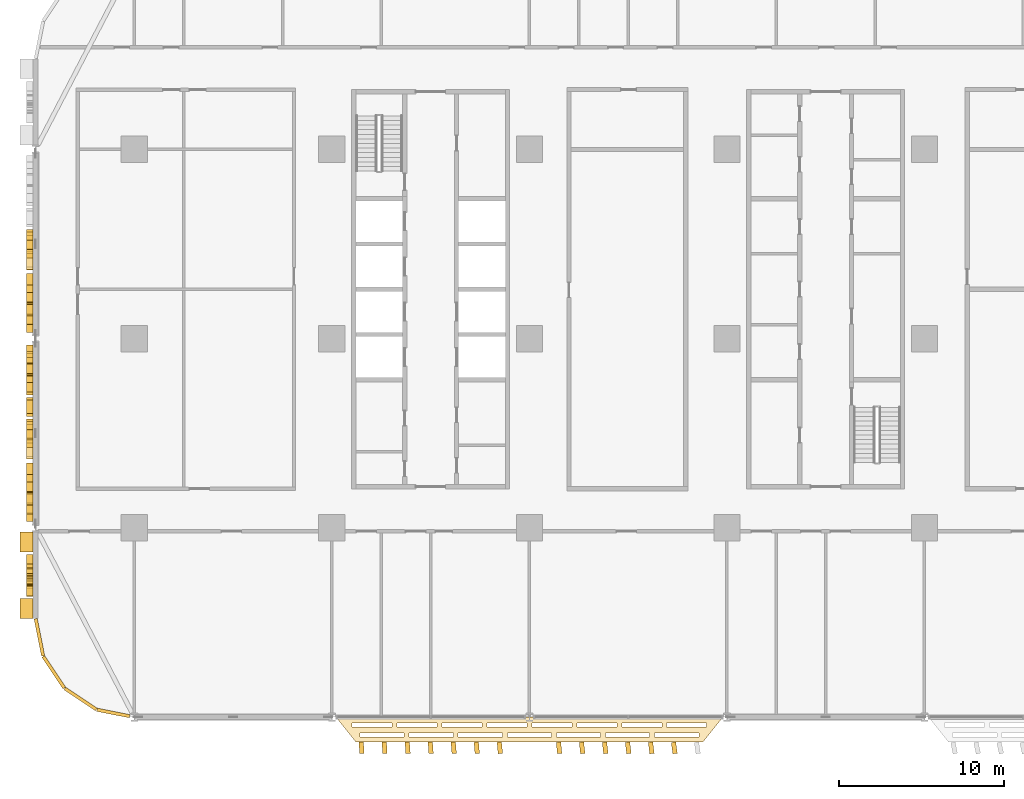
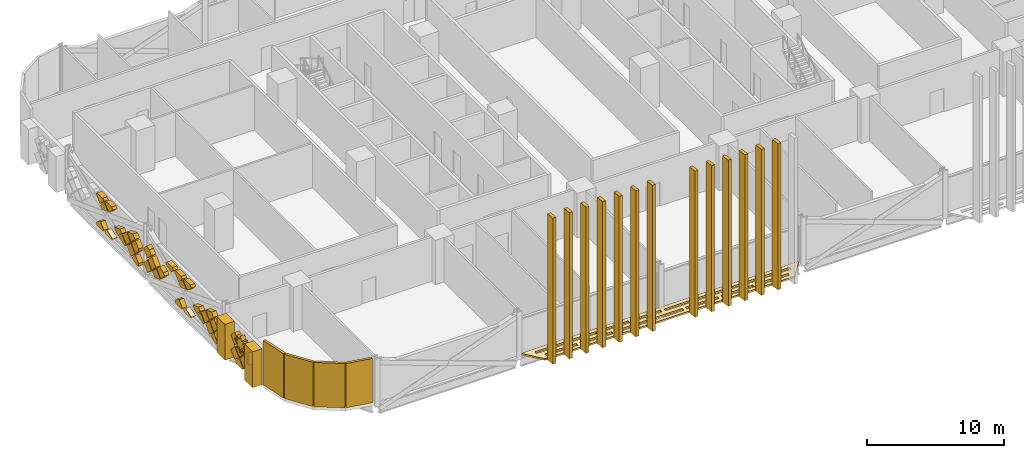
# One storey, part 23 of 29: 57 coverings.
"""IFC4 building model written with IfcOpenShell, lengths in metres."""

import ifcopenshell
import ifcopenshell.guid

model = None  # the IFC model being written
_history = None  # IfcOwnerHistory: only IFC2X3 demands one
_inside = {}  # id of a spatial element -> (the spatial element, [elements in it])
_under = {}  # id of a project, library or spatial element -> (it, [spatial elements below it])
_declared = {}  # id of a project -> (the project, [libraries it declares])
_typed = {}  # id of a type object -> (the type object, [elements of that type])
_made_of = {}  # id of a material, layer set ... -> (it, [elements and type objects made of it])


def new_model(schema):
    """Start an empty IFC model of exactly this schema.

    Asked for "IFC4X3", IfcOpenShell would pick the latest addendum, in which some entities
    have other attributes; the version numbers below select the first issue.
    IFC2X3 requires an IfcOwnerHistory on every rooted entity: one is made here for all.
    """
    global model, _history
    if schema == "IFC4X3":
        model = ifcopenshell.file(schema_version=(4, 3, 0, 0))
    else:
        model = ifcopenshell.file(schema=schema)
    _inside.clear()
    _under.clear()
    _declared.clear()
    _typed.clear()
    _made_of.clear()
    _history = None
    if model.schema == "IFC2X3":
        org = make("IfcOrganization", Name="unknown")
        user = make(
            "IfcPersonAndOrganization",
            ThePerson=make("IfcPerson", FamilyName="unknown"),
            TheOrganization=org,
        )
        app = make(
            "IfcApplication",
            ApplicationDeveloper=org,
            Version="unknown",
            ApplicationFullName="unknown",
            ApplicationIdentifier="unknown",
        )
        _history = make(
            "IfcOwnerHistory",
            OwningUser=user,
            OwningApplication=app,
            ChangeAction="ADDED",
            CreationDate=0,
        )
    return model


def make(cls, **values):
    """One entity of the class cls with the attributes given. An attribute that is None is left unset."""
    return model.create_entity(
        cls, **{name: value for name, value in values.items() if value is not None}
    )


def rooted(cls, **values):
    """An entity with a GlobalId (a new one), such as an element, a storey or a relation."""
    return make(cls, GlobalId=ifcopenshell.guid.new(), OwnerHistory=_history, **values)


def si_unit(unit_type, name, prefix=None):
    """IfcSIUnit, for example si_unit("LENGTHUNIT", "METRE", prefix="MILLI")."""
    return make("IfcSIUnit", UnitType=unit_type, Prefix=prefix, Name=name)


def assignment(units):
    """IfcUnitAssignment: the units of a project."""
    return None if units is None else make("IfcUnitAssignment", Units=units)


def point(xyz):
    """IfcCartesianPoint."""
    return None if xyz is None else make("IfcCartesianPoint", Coordinates=xyz)


def direction(xyz):
    """IfcDirection."""
    return None if xyz is None else make("IfcDirection", DirectionRatios=xyz)


def frame(location, z_axis=None, x_axis=None):
    """IfcAxis2Placement3D, a coordinate frame: its origin and axes. An axis left out is left unset."""
    return make(
        "IfcAxis2Placement3D",
        Location=point(location),
        Axis=direction(z_axis),
        RefDirection=direction(x_axis),
    )


def frame_2d(location, x_axis=None):
    """IfcAxis2Placement2D, a coordinate frame in the plane: its origin and x axis."""
    return make(
        "IfcAxis2Placement2D", Location=point(location), RefDirection=direction(x_axis)
    )


def origin():
    """The frame at (0, 0, 0) with its axes left unset."""
    return frame((0.0, 0.0, 0.0))


def origin_2d():
    """The frame at (0, 0) in the plane with its x axis left unset."""
    return frame_2d((0.0, 0.0))


def place(relative_to, where):
    """IfcLocalPlacement: puts the frame where relative to a parent placement (None: the world)."""
    return make(
        "IfcLocalPlacement", PlacementRelTo=relative_to, RelativePlacement=where
    )


def context(
    kind, dimensions, precision=None, world=None, true_north=None, identifier=None
):
    """IfcGeometricRepresentationContext, for example the 3D "Model" context."""
    return make(
        "IfcGeometricRepresentationContext",
        ContextIdentifier=identifier,
        ContextType=kind,
        CoordinateSpaceDimension=dimensions,
        Precision=precision,
        WorldCoordinateSystem=world,
        TrueNorth=true_north,
    )


def subcontext(parent, identifier, kind, view, scale=None):
    """IfcGeometricRepresentationSubContext, for example "Body" below "Model"."""
    return make(
        "IfcGeometricRepresentationSubContext",
        ContextIdentifier=identifier,
        ContextType=kind,
        ParentContext=parent,
        TargetScale=scale,
        TargetView=view,
    )


def project(units=None, contexts=None):
    """IfcProject with its units and contexts."""
    return rooted(
        "IfcProject",
        Name="project",
        RepresentationContexts=contexts,
        UnitsInContext=assignment(units),
    )


def spatial(cls, under=None, at=None, **own):
    """A site, building, storey or space (cls), placed at a placement, below another one or the project."""
    s = rooted(cls, ObjectPlacement=at, **own)
    if under is not None:
        _under.setdefault(under.id(), (under, []))[1].append(s)
    return s


def polyline(points):
    """IfcPolyline through the points."""
    return make("IfcPolyline", Points=[point(p) for p in points])


def profile(cls, at=None, kind="AREA", **sizes):
    """A parametric profile (cls). Its sizes go by their IFC names, for example OverallWidth=200.0."""
    return make(cls, ProfileType=kind, Position=at, **sizes)


def rectangle(**sizes):
    """IfcRectangleProfileDef."""
    return profile("IfcRectangleProfileDef", **sizes)


def outline(outer, holes=None, kind="AREA"):
    """IfcArbitraryClosedProfileDef: a profile drawn as a closed curve; with holes, ...WithVoids."""
    if holes is None:
        return make("IfcArbitraryClosedProfileDef", ProfileType=kind, OuterCurve=outer)
    return make(
        "IfcArbitraryProfileDefWithVoids",
        ProfileType=kind,
        OuterCurve=outer,
        InnerCurves=holes,
    )


def extrude(swept, where, along, depth):
    """IfcExtrudedAreaSolid: the profile swept, set in the frame where, extruded along a direction by depth."""
    return make(
        "IfcExtrudedAreaSolid",
        SweptArea=swept,
        Position=where,
        ExtrudedDirection=direction(along),
        Depth=depth,
    )


def shape(context_of_items, identifier, shape_type, items):
    """IfcShapeRepresentation: the items that make up one representation, for example the "Body"."""
    return make(
        "IfcShapeRepresentation",
        ContextOfItems=context_of_items,
        RepresentationIdentifier=identifier,
        RepresentationType=shape_type,
        Items=items,
    )


def material(Name=None, Category=None):
    """IfcMaterial."""
    return make("IfcMaterial", Name=Name, Category=Category)


def layer(
    of_material, thickness, ventilated=None, Name=None, Category=None, Priority=None
):
    """IfcMaterialLayer: one layer of a wall or slab, of a material (None: an air gap)."""
    return make(
        "IfcMaterialLayer",
        Material=of_material,
        LayerThickness=thickness,
        IsVentilated=ventilated,
        Name=Name,
        Category=Category,
        Priority=Priority,
    )


def layer_set(layers, Name=None):
    """IfcMaterialLayerSet."""
    return make("IfcMaterialLayerSet", MaterialLayers=layers, LayerSetName=Name)


def made_of(thing, what):
    """Note that an element or type object is made of a material, layer set ...; save() writes the relation."""
    if what is not None:
        _made_of.setdefault(what.id(), (what, []))[1].append(thing)
    return thing


def type_object(cls, material=None, **own):
    """A type object (cls), such as IfcWallType, which elements share."""
    return made_of(rooted(cls, **own), material)


def element(
    cls,
    number,
    at=None,
    inside=None,
    cuts=None,
    type_object=None,
    material=None,
    context=None,
    identifier="Body",
    shape_type=None,
    held_by="IfcProductDefinitionShape",
    body=None,
    shapes=None,
    **own,
):
    """One element of the class cls, such as IfcWall. Its Tag is "e" and its number.

    at: its placement. inside: the storey or other place that contains it. cuts: it is an
    opening in that element (IfcRelVoidsElement). A single representation is given by context,
    identifier, shape_type and body (its items); several are given by shapes. held_by: the class
    of the entity that holds the representations. save() writes the other relations.
    """
    e = rooted(cls, Tag="e%d" % number, ObjectPlacement=at, **own)
    if body is not None:
        shapes = [shape(context, identifier, shape_type, body)]
    if shapes is not None:
        e.Representation = make(held_by, Representations=shapes)
    if inside is not None:
        _inside.setdefault(inside.id(), (inside, []))[1].append(e)
    if cuts is not None:
        rooted(
            "IfcRelVoidsElement", RelatingBuildingElement=cuts, RelatedOpeningElement=e
        )
    if type_object is not None:
        _typed.setdefault(type_object.id(), (type_object, []))[1].append(e)
    return made_of(e, material)


def aggregate(whole, parts):
    """IfcRelAggregates: a whole, such as a stair, and the parts it consists of."""
    return rooted("IfcRelAggregates", RelatingObject=whole, RelatedObjects=parts)


def save(model, path):
    """Write the relations noted so far, then the file.

    IfcRelAggregates (storeys below a building ...), IfcRelContainedInSpatialStructure (elements
    in a storey), IfcRelDefinesByType, IfcRelAssociatesMaterial and IfcRelDeclares: one each for
    every whole, place, type object, material and project.
    """
    for whole, parts in _under.values():
        aggregate(whole, parts)
    for where, things in _inside.values():
        rooted(
            "IfcRelContainedInSpatialStructure",
            RelatedElements=things,
            RelatingStructure=where,
        )
    for kind, things in _typed.values():
        rooted("IfcRelDefinesByType", RelatedObjects=things, RelatingType=kind)
    for what, things in _made_of.values():
        rooted("IfcRelAssociatesMaterial", RelatedObjects=things, RelatingMaterial=what)
    for by, libraries in _declared.values():
        rooted("IfcRelDeclares", RelatingContext=by, RelatedDefinitions=libraries)
    model.write(path)


model = new_model("IFC4")

# Units and contexts
model_context = context("Model", 3, precision=1e-05, world=origin(), true_north=direction((0.0, 1.0)))
body_context = subcontext(model_context, "Body", "Model", "MODEL_VIEW")
ifc_project = project(units=[si_unit("LENGTHUNIT", "METRE"), si_unit("AREAUNIT", "SQUARE_METRE"), si_unit("VOLUMEUNIT", "CUBIC_METRE"), si_unit("PLANEANGLEUNIT", "RADIAN"), si_unit("MASSUNIT", "GRAM", prefix="KILO")], contexts=[model_context])

# Site, building, storey
site_placement = place(None, origin())
site = spatial("IfcSite", under=ifc_project, at=site_placement, CompositionType="ELEMENT")
building_placement = place(site_placement, origin())
building = spatial("IfcBuilding", under=site, at=building_placement, Name="Mahtab Terrace Research Tower", CompositionType="ELEMENT")
storey_placement = place(building_placement, frame((0.0, 0.0, 24.39990234375)))
storey = spatial("IfcBuildingStorey", under=building, at=storey_placement, Name="L05", CompositionType="ELEMENT", Elevation=24.39990234375)

# Coverings
ifc_material_1 = material(Name="Black aluminium cladding panel", Category="aluminium")
ifc_layer_1 = layer(ifc_material_1, 0.199951171875)
ifc_layer_set_1 = layer_set([ifc_layer_1], Name="Black metal corner cladding 200")
covering_type_1 = type_object("IfcCoveringType", Name="Black metal corner cladding 200", PredefinedType="CLADDING", material=ifc_layer_set_1)
for number, where, z_axis, x_axis, name in (
    (1, (-47.771484375, -18.14794921875, 0.0), (0.0, 0.0, 1.0), (0.195212442692, -0.980760981187, 0.0), "Corner cladding L05 18"),
    (2, (-46.89306640625, -20.26953125, 0.0), (0.0, 0.0, 1.0), (0.555291490808, -0.831655794326, 0.0), "Corner cladding L05 19"),
    (3, (-45.26953125, -21.89306640625, 0.0), (0.0, 0.0, 1.0), (0.831655794326, -0.555291490808, 0.0), "Corner cladding L05 20"),
):
    element("IfcCovering", number, at=place(storey_placement, frame(where, z_axis=z_axis, x_axis=x_axis)), inside=storey, type_object=covering_type_1, Name=name, PredefinedType="CLADDING", context=body_context, shape_type="SweptSolid", body=[
        extrude(rectangle(XDim=2.30126953125, YDim=0.199951171875, at=origin_2d()), origin(), (0.0, 0.0, 1.0), 3.9599609375),
    ])
covering_1_placement = place(storey_placement, frame((-43.28173828125, -22.744873046875, 0.0), z_axis=(0.0, 0.0, 1.0), x_axis=(0.980760981187, -0.195212442692, 0.0)))
element("IfcCovering", 4, at=covering_1_placement, inside=storey, type_object=covering_type_1, Name="Corner cladding L05 21", PredefinedType="CLADDING", context=body_context, shape_type="SweptSolid", body=[
    extrude(rectangle(XDim=2.0283203125, YDim=0.199951171875, at=origin_2d()), origin(), (0.0, 0.0, 1.0), 3.9599609375),
])
ifc_material_2 = material(Name="Black anodised aluminium", Category="aluminium")
ifc_layer_2 = layer(ifc_material_2, 0.14990234375)
ifc_layer_set_2 = layer_set([ifc_layer_2], Name="Horizontal sunshade band")
covering_type_2 = type_object("IfcCoveringType", Name="Horizontal sunshade band", PredefinedType="CLADDING", material=ifc_layer_set_2)
covering_2_placement = place(storey_placement, frame((0.0, 0.0, -0.14990234375)))
element("IfcCovering", 5, at=covering_2_placement, inside=storey, type_object=covering_type_2, Name="Sunshade band L05 23", PredefinedType="CLADDING", context=body_context, shape_type="SweptSolid", body=[
    extrude(outline(polyline([(-29.7509765625, -23.0), (-6.2490234375, -23.0), (-7.448974609375, -24.5), (-28.551025390625, -24.5), (-29.7509765625, -23.0)]), holes=[polyline([(-28.77099609375, -23.35009765625), (-26.341064453125, -23.35009765625), (-26.341064453125, -23.60009765625), (-28.77099609375, -23.60009765625), (-28.77099609375, -23.35009765625)]), polyline([(-26.041015625, -23.35009765625), (-23.611083984375, -23.35009765625), (-23.611083984375, -23.60009765625), (-26.041015625, -23.60009765625), (-26.041015625, -23.35009765625)]), polyline([(-23.31103515625, -23.35009765625), (-20.8798828125, -23.35009765625), (-20.8798828125, -23.60009765625), (-23.31103515625, -23.60009765625), (-23.31103515625, -23.35009765625)]), polyline([(-20.580078125, -23.35009765625), (-18.14990234375, -23.35009765625), (-18.14990234375, -23.60009765625), (-20.580078125, -23.60009765625), (-20.580078125, -23.35009765625)]), polyline([(-17.85009765625, -23.35009765625), (-15.419921875, -23.35009765625), (-15.419921875, -23.60009765625), (-17.85009765625, -23.60009765625), (-17.85009765625, -23.35009765625)]), polyline([(-15.1201171875, -23.35009765625), (-12.68994140625, -23.35009765625), (-12.68994140625, -23.60009765625), (-15.1201171875, -23.60009765625), (-15.1201171875, -23.35009765625)]), polyline([(-12.389892578125, -23.35009765625), (-9.958984375, -23.35009765625), (-9.958984375, -23.60009765625), (-12.389892578125, -23.60009765625), (-12.389892578125, -23.35009765625)]), polyline([(-9.658935546875, -23.35009765625), (-7.22900390625, -23.35009765625), (-7.22900390625, -23.60009765625), (-9.658935546875, -23.60009765625), (-9.658935546875, -23.35009765625)]), polyline([(-28.291015625, -23.949951171875), (-25.60791015625, -23.949951171875), (-25.60791015625, -24.199951171875), (-28.291015625, -24.199951171875), (-28.291015625, -23.949951171875)]), polyline([(-25.30810546875, -23.949951171875), (-22.625, -23.949951171875), (-22.625, -24.199951171875), (-25.30810546875, -24.199951171875), (-25.30810546875, -23.949951171875)]), polyline([(-22.324951171875, -23.949951171875), (-19.64208984375, -23.949951171875), (-19.64208984375, -24.199951171875), (-22.324951171875, -24.199951171875), (-22.324951171875, -23.949951171875)]), polyline([(-19.342041015625, -23.949951171875), (-16.657958984375, -23.949951171875), (-16.657958984375, -24.199951171875), (-19.342041015625, -24.199951171875), (-19.342041015625, -23.949951171875)]), polyline([(-16.35791015625, -23.949951171875), (-13.675048828125, -23.949951171875), (-13.675048828125, -24.199951171875), (-16.35791015625, -24.199951171875), (-16.35791015625, -23.949951171875)]), polyline([(-13.375, -23.949951171875), (-10.69189453125, -23.949951171875), (-10.69189453125, -24.199951171875), (-13.375, -24.199951171875), (-13.375, -23.949951171875)]), polyline([(-10.39208984375, -23.949951171875), (-7.708984375, -23.949951171875), (-7.708984375, -24.199951171875), (-10.39208984375, -24.199951171875), (-10.39208984375, -23.949951171875)])]), origin(), (0.0, 0.0, 1.0), 0.14990234375),
])
ifc_material_3 = material(Name="Bronze anodised aluminium", Category="aluminium")
ifc_layer_3 = layer(ifc_material_3, 0.39990234375)
ifc_layer_set_3 = layer_set([ifc_layer_3], Name="Mashrabiya relief panel 400")
covering_type_3 = type_object("IfcCoveringType", Name="Mashrabiya relief panel 400", PredefinedType="CLADDING", material=ifc_layer_set_3)
covering_3_placement = place(storey_placement, frame((-48.14990234375, 6.631103515625, 0.300048828125), z_axis=(1.0, 0.0, 0.0), x_axis=(0.0, -0.707106781187, 0.707106781187)))
element("IfcCovering", 6, at=covering_3_placement, inside=storey, type_object=covering_type_3, Name="Mashrabiya lattice cell L05 W15.7", PredefinedType="CLADDING", context=body_context, shape_type="SweptSolid", body=[
    extrude(outline(polyline([(0.0, 0.0), (0.5134120037228497, 0.0), (0.8203543516109556, 0.14017839509850505), (0.8203543516109556, 0.8203543516109556), (0.5869538711021146, 0.8203543516109556), (0.0, 0.2334004805088409), (0.0, 0.0)])), origin(), (0.0, 0.0, -1.0), 0.39990234375),
])
covering_4_placement = place(storey_placement, frame((-48.14990234375, 5.470947265625, 2.900146484375), z_axis=(1.0, 0.0, 0.0), x_axis=(0.0, 0.707106781187, -0.707106781187)))
element("IfcCovering", 7, at=covering_4_placement, inside=storey, type_object=covering_type_3, Name="Mashrabiya lattice cell L05 W15.8", PredefinedType="CLADDING", context=body_context, shape_type="SweptSolid", body=[
    extrude(outline(polyline([(0.0, 0.0), (0.8203543516109556, 0.0), (0.8203543516109556, 0.8203543516109556), (0.5826380338145992, 0.820181718119455), (0.0, 0.2375436843048558), (0.0, 0.0)])), origin(), (0.0, 0.0, -1.0), 0.39990234375),
])
covering_5_placement = place(storey_placement, frame((-48.14990234375, 5.98095703125, 2.25), z_axis=(1.0, 0.0, 0.0), x_axis=(0.0, -0.707106781187, 0.707106781187)))
element("IfcCovering", 8, at=covering_5_placement, inside=storey, type_object=covering_type_3, Name="Mashrabiya lattice cell L05 W15.9", PredefinedType="CLADDING", context=body_context, shape_type="SweptSolid", body=[
    extrude(outline(polyline([(0.0, 0.0), (0.8203543516109556, 0.0), (0.8203543516109556, 0.7140121208465725), (0.0, 0.3393974442902228), (0.0, 0.0)])), origin(), (0.0, 0.0, -1.0), 0.39990234375),
])
covering_6_placement = place(storey_placement, frame((-48.14990234375, 5.3310546875, 0.300048828125), z_axis=(1.0, 0.0, 0.0), x_axis=(0.0, -0.707106781187, 0.707106781187)))
element("IfcCovering", 9, at=covering_6_placement, inside=storey, type_object=covering_type_3, Name="Mashrabiya lattice cell L05 W15.10", PredefinedType="CLADDING", context=body_context, shape_type="SweptSolid", body=[
    extrude(outline(polyline([(0.0, 0.0), (0.4115582437374828, 0.0), (0.7863455537853331, 0.820181718119455), (0.5869538711021146, 0.8203543516109556), (0.0, 0.2334004805088409), (0.0, 0.0)])), origin(), (0.0, 0.0, -1.0), 0.39990234375),
])
covering_7_placement = place(storey_placement, frame((-48.14990234375, 5.3310546875, 2.900146484375), z_axis=(1.0, 0.0, 0.0), x_axis=(0.0, -0.707106781187, 0.707106781187)))
element("IfcCovering", 10, at=covering_7_placement, inside=storey, type_object=covering_type_3, Name="Mashrabiya lattice cell L05 W15.11", PredefinedType="CLADDING", context=body_context, shape_type="SweptSolid", body=[
    extrude(outline(polyline([(0.0, 0.0), (0.2375436843048558, 0.0), (0.820181718119455, 0.5826380338145992), (0.8203543516109556, 0.8203543516109556), (0.1343088563874839, 0.8203543516109556), (0.0, 0.7595873626027366), (0.0, 0.0)])), origin(), (0.0, 0.0, -1.0), 0.39990234375),
])
covering_8_placement = place(storey_placement, frame((-48.14990234375, 3.9580078125, 1.527099609375), z_axis=(1.0, 0.0, 0.0), x_axis=(0.0, -0.936540541173, 0.350559288481)))
element("IfcCovering", 11, at=covering_8_placement, inside=storey, type_object=covering_type_3, Name="Mashrabiya lattice cell L05 W15.12", PredefinedType="CLADDING", context=body_context, shape_type="SweptSolid", body=[
    extrude(outline(polyline([(0.0, 0.0), (0.9011827075507265, -5.551115123125783e-17), (1.0435292276748973, 0.31266219006469476), (0.41560539492692705, 0.5987283725402599), (0.17868422475888357, 0.3924774627043254), (0.0, 0.0)])), origin(), (0.0, 0.0, -1.0), 0.39990234375),
])
covering_9_placement = place(storey_placement, frame((-48.14990234375, 2.801025390625, 1.530029296875), z_axis=(1.0, 0.0, 0.0), x_axis=(0.0, -0.707255598772, -0.706957932274)))
element("IfcCovering", 12, at=covering_9_placement, inside=storey, type_object=covering_type_3, Name="Mashrabiya lattice cell L05 W15.13", PredefinedType="CLADDING", context=body_context, shape_type="SweptSolid", body=[
    extrude(outline(polyline([(0.0, 0.0), (0.8201817362875763, 0.0), (0.8201245430420274, 0.2717251096029046), (-0.0003083493530673942, 0.6447860401357071), (0.0, 0.0)])), origin(), (0.0, 0.0, -1.0), 0.39990234375),
])
covering_10_placement = place(storey_placement, frame((-48.14990234375, 2.15087890625, 2.18017578125), z_axis=(1.0, 0.0, 0.0), x_axis=(0.0, -0.706957932274, -0.707255598772)))
element("IfcCovering", 13, at=covering_10_placement, inside=storey, type_object=covering_type_3, Name="Mashrabiya lattice cell L05 W15.14", PredefinedType="CLADDING", context=body_context, shape_type="SweptSolid", body=[
    extrude(outline(polyline([(0.0, 0.0), (0.8201817362875763, 0.0), (0.8205270032629295, 0.8201816636150915), (0.00017266982391900276, 0.8203543334390104), (0.0, 0.0)])), origin(), (0.0, 0.0, -1.0), 0.39990234375),
])
covering_11_placement = place(storey_placement, frame((-48.14990234375, 2.0810546875, 0.9501953125), z_axis=(1.0, 0.0, 0.0), x_axis=(0.0, -0.707255598772, 0.706957932274)))
element("IfcCovering", 14, at=covering_11_placement, inside=storey, type_object=covering_type_3, Name="Mashrabiya lattice cell L05 W15.15", PredefinedType="CLADDING", context=body_context, shape_type="SweptSolid", body=[
    extrude(outline(polyline([(0.0, 0.0), (0.8201817362875763, 0.0), (0.8205270032629295, 0.8201816636150915), (0.04816477939800251, 0.8203442319636213), (0.0001500686811417018, 0.7129763041041906), (0.0, 0.0)])), origin(), (0.0, 0.0, -1.0), 0.39990234375),
])
covering_12_placement = place(storey_placement, frame((-48.14990234375, 0.9208984375, 2.25), z_axis=(1.0, 0.0, 0.0), x_axis=(0.0, 0.707255598772, -0.706957932274)))
element("IfcCovering", 15, at=covering_12_placement, inside=storey, type_object=covering_type_3, Name="Mashrabiya lattice cell L05 W15.16", PredefinedType="CLADDING", context=body_context, shape_type="SweptSolid", body=[
    extrude(outline(polyline([(0.0, 0.0), (0.8201817362875763, 0.0), (0.8203499004174368, 0.798947780967117), (8.931448383686647e-05, 0.4243331127089831), (0.0, 0.0)])), origin(), (0.0, 0.0, -1.0), 0.39990234375),
])
covering_13_placement = place(storey_placement, frame((-48.14990234375, 0.43603515625, 0.135009765625), z_axis=(1.0, 0.0, 0.0), x_axis=(0.0, 1.0, 0.0)))
element("IfcCovering", 16, at=covering_13_placement, inside=storey, type_object=covering_type_3, Name="Mashrabiya lattice cell L05 W15.17", PredefinedType="CLADDING", context=body_context, shape_type="SweptSolid", body=[
    extrude(outline(polyline([(0.0, 0.0), (0.31005859375, 0.0), (0.928955078125, 0.231201171875), (0.4150390625, 0.7451171875), (-0.052001953125, 0.278076171875), (-0.052001953125, 0.052001953125), (0.0, 0.0)])), origin(), (0.0, 0.0, -1.0), 0.39990234375),
])
covering_14_placement = place(storey_placement, frame((-48.14990234375, 0.85107421875, 1.02001953125), z_axis=(1.0, 0.0, 0.0), x_axis=(0.0, 0.706957932274, 0.707255598772)))
element("IfcCovering", 17, at=covering_14_placement, inside=storey, type_object=covering_type_3, Name="Mashrabiya lattice cell L05 W15.18", PredefinedType="CLADDING", context=body_context, shape_type="SweptSolid", body=[
    extrude(outline(polyline([(0.0, 0.0), (0.8201817362875763, 0.0), (0.8205270032629295, 0.8201816636150915), (0.16003127941241302, 0.8203206860785415), (0.00013902246344993374, 0.6604957238505165), (0.0, 0.0)])), origin(), (0.0, 0.0, -1.0), 0.39990234375),
])
covering_15_placement = place(storey_placement, frame((-48.14990234375, -0.89892578125, 1.530029296875), z_axis=(1.0, 0.0, 0.0), x_axis=(0.0, -0.707255598772, -0.706957932274)))
element("IfcCovering", 18, at=covering_15_placement, inside=storey, type_object=covering_type_3, Name="Mashrabiya lattice cell L05 W16.1", PredefinedType="CLADDING", context=body_context, shape_type="SweptSolid", body=[
    extrude(outline(polyline([(0.0, 0.0), (0.8201817362875763, 0.0), (0.8200090664636573, 0.8203543334390104), (0.09184101544392964, 0.8202010671685369), (-0.0001532662704735177, 0.7281680510197277), (0.0, 0.0)])), origin(), (0.0, 0.0, -1.0), 0.39990234375),
])
covering_16_placement = place(storey_placement, frame((-48.14990234375, -1.47900390625, 2.25), z_axis=(1.0, 0.0, 0.0), x_axis=(0.0, 0.707255598772, -0.706957932274)))
element("IfcCovering", 19, at=covering_16_placement, inside=storey, type_object=covering_type_3, Name="Mashrabiya lattice cell L05 W16.2", PredefinedType="CLADDING", context=body_context, shape_type="SweptSolid", body=[
    extrude(outline(polyline([(0.0, 0.0), (0.8201817362875763, 0.0), (0.8203350025580498, 0.7281680510197277), (0.7283407208436468, 0.8202010671685369), (0.16417448311665045, 0.8203198140087236), (-7.557938420696408e-05, 0.4611040819203327), (0.0, 0.0)])), origin(), (0.0, 0.0, -1.0), 0.39990234375),
])
covering_17_placement = place(storey_placement, frame((-48.14990234375, -1.549072265625, 2.18017578125), z_axis=(1.0, 0.0, 0.0), x_axis=(0.0, -0.706957932274, -0.707255598772)))
element("IfcCovering", 20, at=covering_17_placement, inside=storey, type_object=covering_type_3, Name="Mashrabiya lattice cell L05 W16.3", PredefinedType="CLADDING", context=body_context, shape_type="SweptSolid", body=[
    extrude(outline(polyline([(0.0, 0.0), (0.8201817362875763, 0.0), (0.8205270032629295, 0.8201816636150915), (0.00017266982391900276, 0.8203543334390104), (0.0, 0.0)])), origin(), (0.0, 0.0, -1.0), 0.39990234375),
])
covering_18_placement = place(storey_placement, frame((-48.14990234375, -1.618896484375, 0.9501953125), z_axis=(1.0, 0.0, 0.0), x_axis=(0.0, -0.707255598772, 0.706957932274)))
element("IfcCovering", 21, at=covering_18_placement, inside=storey, type_object=covering_type_3, Name="Mashrabiya lattice cell L05 W16.4", PredefinedType="CLADDING", context=body_context, shape_type="SweptSolid", body=[
    extrude(outline(polyline([(0.0, 0.0), (0.8201817362875763, 0.0), (0.8205270032629295, 0.8201816636150915), (0.697266693061866, 0.8202076076921702), (0.00010602915534418944, 0.5037445170402004), (0.0, 0.0)])), origin(), (0.0, 0.0, -1.0), 0.39990234375),
])
covering_19_placement = place(storey_placement, frame((-48.14990234375, -3.428955078125, 1.60009765625), z_axis=(1.0, 0.0, 0.0), x_axis=(0.0, 0.706957932274, -0.707255598772)))
element("IfcCovering", 22, at=covering_19_placement, inside=storey, type_object=covering_type_3, Name="Mashrabiya lattice cell L05 W16.5", PredefinedType="CLADDING", context=body_context, shape_type="SweptSolid", body=[
    extrude(outline(polyline([(0.0, 0.0), (0.8201817362875763, 0.0), (0.8200090664636573, 0.8203543334390104), (0.2444490185500081, 0.8202331884068248), (-5.922807512373507e-05, 0.28139258491279184), (0.0, 0.0)])), origin(), (0.0, 0.0, -1.0), 0.39990234375),
])
covering_20_placement = place(storey_placement, frame((-48.14990234375, -3.569091796875, 2.900146484375), z_axis=(1.0, 0.0, 0.0), x_axis=(0.0, -0.707106781187, 0.707106781187)))
element("IfcCovering", 23, at=covering_20_placement, inside=storey, type_object=covering_type_3, Name="Mashrabiya lattice cell L05 W16.6", PredefinedType="CLADDING", context=body_context, shape_type="SweptSolid", body=[
    extrude(outline(polyline([(0.0, 0.0), (0.2375436843048558, 0.0), (0.820181718119455, 0.5826380338145992), (0.820181718119455, 0.820181718119455), (0.2926137680935542, 0.820181718119455), (0.0, 0.1767766952966369), (0.0, 0.0)])), origin(), (0.0, 0.0, -1.0), 0.39990234375),
])
covering_21_placement = place(storey_placement, frame((-48.14990234375, -4.868896484375, 0.300048828125), z_axis=(1.0, 0.0, 0.0), x_axis=(0.0, -0.707106781187, 0.707106781187)))
element("IfcCovering", 24, at=covering_21_placement, inside=storey, type_object=covering_type_3, Name="Mashrabiya lattice cell L05 W16.7", PredefinedType="CLADDING", context=body_context, shape_type="SweptSolid", body=[
    extrude(outline(polyline([(0.0, 0.0), (0.5134120037228497, 0.0), (0.8203543516109556, 0.14017839509850505), (0.8203543516109556, 0.8203543516109556), (0.5869538711021146, 0.8203543516109556), (0.0, 0.2334004805088409), (0.0, 0.0)])), origin(), (0.0, 0.0, -1.0), 0.39990234375),
])
covering_22_placement = place(storey_placement, frame((-48.14990234375, -6.029052734375, 2.900146484375), z_axis=(1.0, 0.0, 0.0), x_axis=(0.0, 0.707106781187, -0.707106781187)))
element("IfcCovering", 25, at=covering_22_placement, inside=storey, type_object=covering_type_3, Name="Mashrabiya lattice cell L05 W16.8", PredefinedType="CLADDING", context=body_context, shape_type="SweptSolid", body=[
    extrude(outline(polyline([(0.0, 0.0), (0.8203543516109556, 0.0), (0.8203543516109556, 0.8203543516109556), (0.5826380338145992, 0.820181718119455), (0.0, 0.2375436843048558), (0.0, 0.0)])), origin(), (0.0, 0.0, -1.0), 0.39990234375),
])
covering_23_placement = place(storey_placement, frame((-48.14990234375, -5.51904296875, 2.25), z_axis=(1.0, 0.0, 0.0), x_axis=(0.0, -0.707106781187, 0.707106781187)))
element("IfcCovering", 26, at=covering_23_placement, inside=storey, type_object=covering_type_3, Name="Mashrabiya lattice cell L05 W16.9", PredefinedType="CLADDING", context=body_context, shape_type="SweptSolid", body=[
    extrude(outline(polyline([(0.0, 0.0), (0.8203543516109556, 0.0), (0.8203543516109556, 0.7140121208465725), (0.0, 0.3393974442902228), (0.0, 0.0)])), origin(), (0.0, 0.0, -1.0), 0.39990234375),
])
covering_24_placement = place(storey_placement, frame((-48.14990234375, -6.1689453125, 0.300048828125), z_axis=(1.0, 0.0, 0.0), x_axis=(0.0, -0.707106781187, 0.707106781187)))
element("IfcCovering", 27, at=covering_24_placement, inside=storey, type_object=covering_type_3, Name="Mashrabiya lattice cell L05 W16.10", PredefinedType="CLADDING", context=body_context, shape_type="SweptSolid", body=[
    extrude(outline(polyline([(0.0, 0.0), (0.4115582437374828, 0.0), (0.7863455537853331, 0.820181718119455), (0.5869538711021146, 0.8203543516109556), (0.0, 0.2334004805088409), (0.0, 0.0)])), origin(), (0.0, 0.0, -1.0), 0.39990234375),
])
covering_25_placement = place(storey_placement, frame((-48.14990234375, -6.1689453125, 2.900146484375), z_axis=(1.0, 0.0, 0.0), x_axis=(0.0, -0.707106781187, 0.707106781187)))
element("IfcCovering", 28, at=covering_25_placement, inside=storey, type_object=covering_type_3, Name="Mashrabiya lattice cell L05 W16.11", PredefinedType="CLADDING", context=body_context, shape_type="SweptSolid", body=[
    extrude(outline(polyline([(0.0, 0.0), (0.2375436843048558, 0.0), (0.820181718119455, 0.5826380338145992), (0.8203543516109556, 0.8203543516109556), (0.1343088563874839, 0.8203543516109556), (0.0, 0.7595873626027366), (0.0, 0.0)])), origin(), (0.0, 0.0, -1.0), 0.39990234375),
])
covering_26_placement = place(storey_placement, frame((-48.14990234375, -7.5419921875, 1.527099609375), z_axis=(1.0, 0.0, 0.0), x_axis=(0.0, -0.936540541173, 0.350559288481)))
element("IfcCovering", 29, at=covering_26_placement, inside=storey, type_object=covering_type_3, Name="Mashrabiya lattice cell L05 W16.12", PredefinedType="CLADDING", context=body_context, shape_type="SweptSolid", body=[
    extrude(outline(polyline([(0.0, 0.0), (0.9011827075507265, -5.551115123125783e-17), (1.0435292276748973, 0.31266219006469476), (0.41560539492692705, 0.5987283725402599), (0.17868422475888357, 0.3924774627043254), (0.0, 0.0)])), origin(), (0.0, 0.0, -1.0), 0.39990234375),
])
covering_27_placement = place(storey_placement, frame((-48.14990234375, -8.698974609375, 1.530029296875), z_axis=(1.0, 0.0, 0.0), x_axis=(0.0, -0.707255598772, -0.706957932274)))
element("IfcCovering", 30, at=covering_27_placement, inside=storey, type_object=covering_type_3, Name="Mashrabiya lattice cell L05 W16.13", PredefinedType="CLADDING", context=body_context, shape_type="SweptSolid", body=[
    extrude(outline(polyline([(0.0, 0.0), (0.8201817362875763, 0.0), (0.8201245430420274, 0.2717251096029046), (-0.0003083493530673942, 0.6447860401357071), (0.0, 0.0)])), origin(), (0.0, 0.0, -1.0), 0.39990234375),
])
covering_28_placement = place(storey_placement, frame((-48.14990234375, -9.34912109375, 2.18017578125), z_axis=(1.0, 0.0, 0.0), x_axis=(0.0, -0.706957932274, -0.707255598772)))
element("IfcCovering", 31, at=covering_28_placement, inside=storey, type_object=covering_type_3, Name="Mashrabiya lattice cell L05 W16.14", PredefinedType="CLADDING", context=body_context, shape_type="SweptSolid", body=[
    extrude(outline(polyline([(0.0, 0.0), (0.8201817362875763, 0.0), (0.8205270032629295, 0.8201816636150915), (0.00017266982391900276, 0.8203543334390104), (0.0, 0.0)])), origin(), (0.0, 0.0, -1.0), 0.39990234375),
])
covering_29_placement = place(storey_placement, frame((-48.14990234375, -9.4189453125, 0.9501953125), z_axis=(1.0, 0.0, 0.0), x_axis=(0.0, -0.707255598772, 0.706957932274)))
element("IfcCovering", 32, at=covering_29_placement, inside=storey, type_object=covering_type_3, Name="Mashrabiya lattice cell L05 W16.15", PredefinedType="CLADDING", context=body_context, shape_type="SweptSolid", body=[
    extrude(outline(polyline([(0.0, 0.0), (0.8201817362875763, 0.0), (0.8205270032629295, 0.8201816636150915), (0.04816477939800251, 0.8203442319636213), (0.0001500686811417018, 0.7129763041041906), (0.0, 0.0)])), origin(), (0.0, 0.0, -1.0), 0.39990234375),
])
covering_30_placement = place(storey_placement, frame((-48.14990234375, -10.5791015625, 2.25), z_axis=(1.0, 0.0, 0.0), x_axis=(0.0, 0.707255598772, -0.706957932274)))
element("IfcCovering", 33, at=covering_30_placement, inside=storey, type_object=covering_type_3, Name="Mashrabiya lattice cell L05 W16.16", PredefinedType="CLADDING", context=body_context, shape_type="SweptSolid", body=[
    extrude(outline(polyline([(0.0, 0.0), (0.8201817362875763, 0.0), (0.8203499004174368, 0.798947780967117), (8.931448383686647e-05, 0.4243331127089831), (0.0, 0.0)])), origin(), (0.0, 0.0, -1.0), 0.39990234375),
])
covering_31_placement = place(storey_placement, frame((-48.14990234375, -11.06396484375, 0.135009765625), z_axis=(1.0, 0.0, 0.0), x_axis=(0.0, 1.0, 0.0)))
element("IfcCovering", 34, at=covering_31_placement, inside=storey, type_object=covering_type_3, Name="Mashrabiya lattice cell L05 W16.17", PredefinedType="CLADDING", context=body_context, shape_type="SweptSolid", body=[
    extrude(outline(polyline([(0.0, 0.0), (0.31005859375, 0.0), (0.928955078125, 0.231201171875), (0.4150390625, 0.7451171875), (-0.052001953125, 0.278076171875), (-0.052001953125, 0.052001953125), (0.0, 0.0)])), origin(), (0.0, 0.0, -1.0), 0.39990234375),
])
covering_32_placement = place(storey_placement, frame((-48.14990234375, -10.64892578125, 1.02001953125), z_axis=(1.0, 0.0, 0.0), x_axis=(0.0, 0.706957932274, 0.707255598772)))
element("IfcCovering", 35, at=covering_32_placement, inside=storey, type_object=covering_type_3, Name="Mashrabiya lattice cell L05 W16.18", PredefinedType="CLADDING", context=body_context, shape_type="SweptSolid", body=[
    extrude(outline(polyline([(0.0, 0.0), (0.8201817362875763, 0.0), (0.8205270032629295, 0.8201816636150915), (0.16003127941241302, 0.8203206860785415), (0.00013902246344993374, 0.6604957238505165), (0.0, 0.0)])), origin(), (0.0, 0.0, -1.0), 0.39990234375),
])
covering_33_placement = place(storey_placement, frame((-48.14990234375, -14.64404296875, 2.60107421875), z_axis=(1.0, 0.0, 0.0), x_axis=(0.0, -0.924691461768, 0.380717349925)))
element("IfcCovering", 36, at=covering_33_placement, inside=storey, type_object=covering_type_3, Name="Girih star panel L05 W17.1", PredefinedType="CLADDING", context=body_context, shape_type="SweptSolid", body=[
    extrude(outline(polyline([(0.0, 0.0), (0.3783462161056796, 2.7755575615628914e-17), (0.11208841562376498, 0.2689856047531158), (0.3794805037610448, 0.5359074361332754), (0.001665512373961231, 0.5371822494259442), (0.0014397576225531616, 0.9154355169598647), (-0.26722714380739543, 0.6490449102983011), (-0.5342419237593141, 0.9166627531869891), (-0.5354237884802239, 0.5386220070484974), (-0.9139957593373116, 0.5385290584767383), (-0.647605152675748, 0.2698621570467897), (-0.9149972408130278, 0.0029403256666300503), (-0.5371822494259442, 0.001665512373961231), (-0.537089300854185, -0.3769064584831264), (-0.26819664467282844, -0.11042290324980375), (-0.0011818647209096977, -0.37804074613849165), (0.0, 0.0)])), origin(), (0.0, 0.0, -1.0), 0.39990234375),
])
covering_34_placement = place(storey_placement, frame((-48.14990234375, -13.698974609375, 1.530029296875), z_axis=(1.0, 0.0, 0.0), x_axis=(0.0, -0.707255598772, -0.706957932274)))
element("IfcCovering", 37, at=covering_34_placement, inside=storey, type_object=covering_type_3, Name="Mashrabiya lattice cell L05 W17.2", PredefinedType="CLADDING", context=body_context, shape_type="SweptSolid", body=[
    extrude(outline(polyline([(0.0, 0.0), (0.8201817362875763, 0.0), (0.8200090664636573, 0.8203543334390104), (-0.0003452669753531423, 0.8201816636150915), (0.0, 0.0)])), origin(), (0.0, 0.0, -1.0), 0.39990234375),
])
covering_35_placement = place(storey_placement, frame((-48.14990234375, -13.698974609375, 1.670166015625), z_axis=(1.0, 0.0, 0.0), x_axis=(0.0, 0.707255598772, 0.706957932274)))
element("IfcCovering", 38, at=covering_35_placement, inside=storey, type_object=covering_type_3, Name="Mashrabiya lattice cell L05 W17.3", PredefinedType="CLADDING", context=body_context, shape_type="SweptSolid", body=[
    extrude(outline(polyline([(0.0, 0.0), (0.8201817362875763, 0.0), (0.8200090664636573, 0.8203543334390104), (0.5216983997585626, 0.8202915444121309), (0.3710026277454048, 0.7572485998705651), (0.468763471129829, 0.5183444192394093), (0.4594622651434062, 0.41856030120526805), (0.4050944531315875, 0.36278823876938104), (0.32810333323462826, 0.34654448496367085), (0.06274411528400894, 0.4488602943512907), (-6.278902687961718e-05, 0.2983106667050947), (0.0, 0.0)])), origin(), (0.0, 0.0, -1.0), 0.39990234375),
])
covering_36_placement = place(storey_placement, frame((-48.14990234375, -13.76904296875, 0.300048828125), z_axis=(1.0, 0.0, 0.0), x_axis=(0.0, -0.707106781187, 0.707106781187)))
element("IfcCovering", 39, at=covering_36_placement, inside=storey, type_object=covering_type_3, Name="Mashrabiya lattice cell L05 W17.4", PredefinedType="CLADDING", context=body_context, shape_type="SweptSolid", body=[
    extrude(outline(polyline([(0.0, 0.0), (0.8203543516109556, 0.0), (0.820181718119455, 0.820181718119455), (0.5867812376106141, 0.8201817181194551), (0.0, 0.2334004805088409), (0.0, 0.0)])), origin(), (0.0, 0.0, -1.0), 0.39990234375),
])
covering_37_placement = place(storey_placement, frame((-48.14990234375, -14.928955078125, 1.60009765625), z_axis=(1.0, 0.0, 0.0), x_axis=(0.0, 0.706957932274, -0.707255598772)))
element("IfcCovering", 40, at=covering_37_placement, inside=storey, type_object=covering_type_3, Name="Mashrabiya lattice cell L05 W17.5", PredefinedType="CLADDING", context=body_context, shape_type="SweptSolid", body=[
    extrude(outline(polyline([(0.0, 0.0), (0.8201817362875763, 0.0), (0.8200090664636573, 0.8203543334390104), (0.6674010633575788, 0.8203222122007225), (0.6765677525746102, 0.7390137653259107), (0.6382583068597403, 0.6668449008312943), (0.37104724865108085, 0.5452546770037502), (0.47226359601594403, 0.2928858110586709), (0.46796145758741753, 0.22780207779854778), (0.436208087417592, 0.1746242777255646), (0.3802821046588682, 0.14008580724771275), (0.3152001882108655, 0.13575627129241125), (0.06278873618968497, 0.23686637148447576), (-1.8168121203594734e-05, 0.08631674383827972), (0.0, 0.0)])), origin(), (0.0, 0.0, -1.0), 0.39990234375),
])
covering_38_placement = place(storey_placement, frame((-48.14990234375, -14.9990234375, 1.530029296875), z_axis=(1.0, 0.0, 0.0), x_axis=(0.0, -0.707255598772, -0.706957932274)))
element("IfcCovering", 41, at=covering_38_placement, inside=storey, type_object=covering_type_3, Name="Mashrabiya lattice cell L05 W17.6", PredefinedType="CLADDING", context=body_context, shape_type="SweptSolid", body=[
    extrude(outline(polyline([(0.0, 0.0), (0.8201817362875763, 0.0), (0.8200090664636573, 0.8203543334390104), (-0.0003452669753531423, 0.8201816636150915), (0.0, 0.0)])), origin(), (0.0, 0.0, -1.0), 0.39990234375),
])
covering_39_placement = place(storey_placement, frame((-48.14990234375, -15.64892578125, 1.02001953125), z_axis=(1.0, 0.0, 0.0), x_axis=(0.0, 0.706957932274, 0.707255598772)))
element("IfcCovering", 42, at=covering_39_placement, inside=storey, type_object=covering_type_3, Name="Mashrabiya lattice cell L05 W17.7", PredefinedType="CLADDING", context=body_context, shape_type="SweptSolid", body=[
    extrude(outline(polyline([(0.0, 0.0), (0.8201817362875763, 0.0), (0.8205270032629295, 0.8201816636150915), (0.7977393828896235, 0.8201864599990892), (4.796383997748149e-06, 0.022787620373305846), (0.0, 0.0)])), origin(), (0.0, 0.0, -1.0), 0.39990234375),
])
ifc_material_4 = material(Name="Glazed ceramic tile cladding", Category="masonry")
ifc_layer_4 = layer(ifc_material_4, 0.800048828125)
ifc_layer_set_4 = layer_set([ifc_layer_4], Name="Pishtaq frame pier 800")
covering_type_4 = type_object("IfcCoveringType", Name="Pishtaq frame pier 800", PredefinedType="CLADDING", material=ifc_layer_set_4)
for number, where, z_axis, x_axis, name in (
    (43, (-48.550048828125, -12.34912109375, 0.00048828125), (0.0, 0.0, 1.0), (0.0, -1.0, 0.0), "Pishtaq frame pier 17a"),
    (44, (-48.550048828125, -16.39990234375, 0.00048828125), (0.0, 0.0, 1.0), (0.0, -1.0, 0.0), "Pishtaq frame pier 17b"),
):
    element("IfcCovering", number, at=place(storey_placement, frame(where, z_axis=z_axis, x_axis=x_axis)), inside=storey, type_object=covering_type_4, Name=name, PredefinedType="CLADDING", context=body_context, shape_type="SweptSolid", body=[
        extrude(rectangle(XDim=1.199951171875, YDim=0.800048828125, at=origin_2d()), origin(), (0.0, 0.0, 1.0), 3.202880859375),
    ])
ifc_layer_5 = layer(ifc_material_3, 0.1201171875)
ifc_layer_set_5 = layer_set([ifc_layer_5], Name="Vertical fin 700")
covering_type_5 = type_object("IfcCoveringType", Name="Vertical fin 700", PredefinedType="CLADDING", material=ifc_layer_set_5)
for number, where, z_axis, x_axis, name in (
    (45, (-28.199951171875, -24.857421875, -0.14990234375), (0.0, 0.0, 1.0), (0.998356138179, 0.057315105867, 0.0), "Fin L05 S1"),
    (46, (-26.800048828125, -24.858154296875, -0.14990234375), (0.0, 0.0, 1.0), (0.998005798968, 0.063122303718, 0.0), "Fin L05 S2"),
    (47, (-25.39990234375, -24.85888671875, -0.14990234375), (0.0, 0.0, 1.0), (0.997621680969, 0.068927365114, 0.0), "Fin L05 S3"),
    (48, (-24.0, -24.859375, -0.14990234375), (0.0, 0.0, 1.0), (0.997203797181, 0.074730093591, 0.0), "Fin L05 S4"),
    (49, (-22.60009765625, -24.860107421875, -0.14990234375), (0.0, 0.0, 1.0), (0.996752161751, 0.080530292716, 0.0), "Fin L05 S5"),
    (50, (-21.199951171875, -24.86083984375, -0.14990234375), (0.0, 0.0, 1.0), (0.996266789964, 0.086327766189, 0.0), "Fin L05 S6"),
    (51, (-19.800048828125, -24.861328125, -0.14990234375), (0.0, 0.0, 1.0), (0.995747698246, 0.092122317805, 0.0), "Fin L05 S7"),
    (52, (-16.199951171875, -24.863037109375, -0.14990234375), (0.0, 0.0, 1.0), (0.994258180634, 0.107007804585, 0.0), "Fin L05 S1"),
    (53, (-14.800048828125, -24.863525390625, -0.14990234375), (0.0, 0.0, 1.0), (0.993618812002, 0.112790320663, 0.0), "Fin L05 S2"),
    (54, (-13.39990234375, -24.864013671875, -0.14990234375), (0.0, 0.0, 1.0), (0.992945813063, 0.118569019226, 0.0), "Fin L05 S3"),
    (55, (-12.0, -24.86474609375, -0.14990234375), (0.0, 0.0, 1.0), (0.9922392066, 0.12434370465, 0.0), "Fin L05 S4"),
    (56, (-10.60009765625, -24.865234375, -0.14990234375), (0.0, 0.0, 1.0), (0.991499016526, 0.130114181502, 0.0), "Fin L05 S5"),
    (57, (-9.199951171875, -24.86572265625, -0.14990234375), (0.0, 0.0, 1.0), (0.990725267892, 0.135880254489, 0.0), "Fin L05 S6"),
):
    element("IfcCovering", number, at=place(storey_placement, frame(where, z_axis=z_axis, x_axis=x_axis)), inside=storey, type_object=covering_type_5, Name=name, PredefinedType="CLADDING", context=body_context, shape_type="SweptSolid", body=[
        extrude(rectangle(XDim=0.280029296875, YDim=0.699951171875, at=origin_2d()), origin(), (0.0, 0.0, 1.0), 13.050048828125),
    ])

save(model, "model.ifc")
